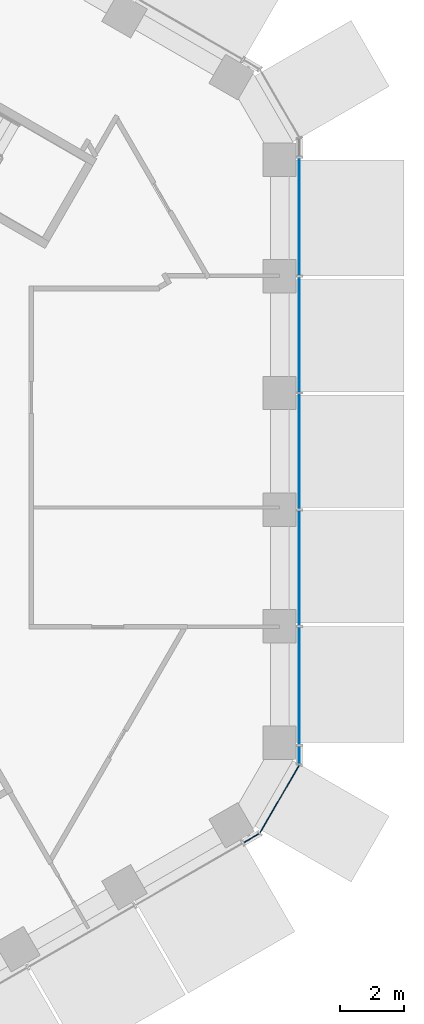
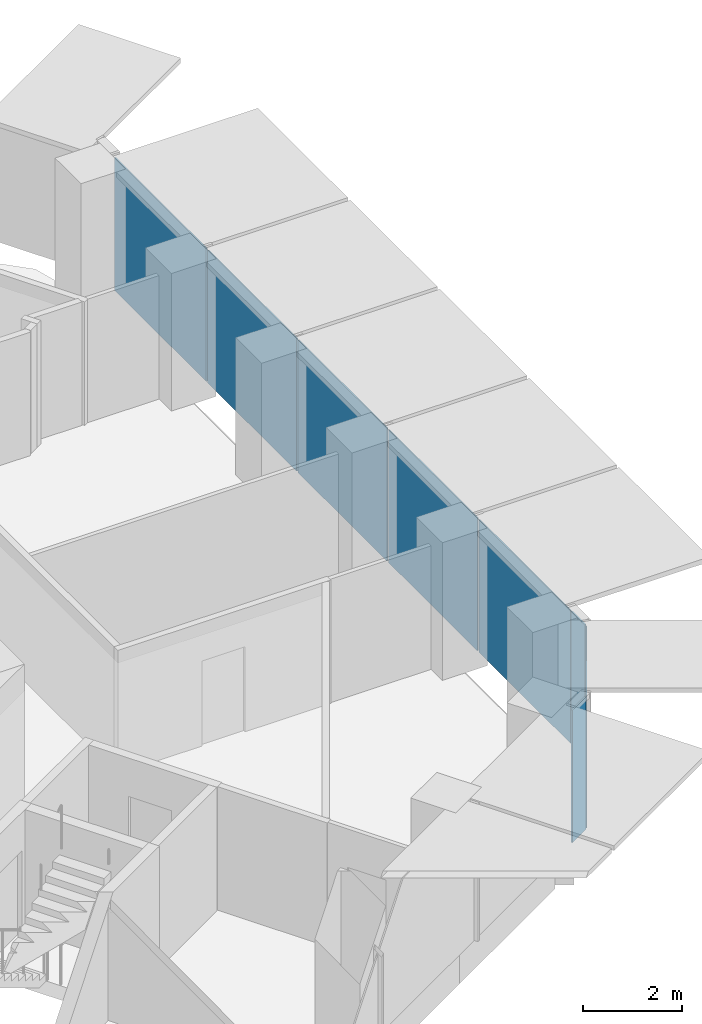
# One storey, part 11 of 19: 8 plates, 2 elements without a shape of their own.
"""IFC4 building model written with IfcOpenShell, lengths in metres."""

from ifc_helpers import new_model, si_unit, direction, frame, origin, origin_2d, place, context, subcontext, project, spatial, rectangle, extrude, material, layer, layer_set, type_object, element, aggregate, save


model = new_model("IFC4")

# Units and contexts
model_context = context("Model", 3, precision=1e-05, world=origin(), true_north=direction((0.0, 1.0)))
body_context = subcontext(model_context, "Body", "Model", "MODEL_VIEW")
ifc_project = project(units=[si_unit("LENGTHUNIT", "METRE"), si_unit("AREAUNIT", "SQUARE_METRE"), si_unit("VOLUMEUNIT", "CUBIC_METRE"), si_unit("PLANEANGLEUNIT", "RADIAN"), si_unit("MASSUNIT", "GRAM", prefix="KILO")], contexts=[model_context])

# Site, building, storey
site_placement = place(None, origin())
site = spatial("IfcSite", under=ifc_project, at=site_placement, CompositionType="ELEMENT")
building_placement = place(site_placement, origin())
building = spatial("IfcBuilding", under=site, at=building_placement, Name="Ayvan Gate Tower", CompositionType="ELEMENT")
storey_placement = place(building_placement, frame((0.0, 0.0, 100.10009765625)))
storey = spatial("IfcBuildingStorey", under=building, at=storey_placement, Name="L26", CompositionType="ELEMENT", Elevation=100.10009765625)

# Curtain wall, plates
ifc_material_1 = material(Name="Bronze anodised aluminium", Category="aluminium")
ifc_layer_1 = layer(ifc_material_1, 0.199951171875)
ifc_layer_set_1 = layer_set([ifc_layer_1], Name="Bronze anodised aluminium")
curtain_wall_type_1 = type_object("IfcCurtainWallType", Name="Stick curtain wall CW-1", PredefinedType="NOTDEFINED", material=ifc_layer_set_1)
curtain_wall_1_placement = place(storey_placement, origin())
curtain_wall_1 = element("IfcCurtainWall", 1, at=curtain_wall_1_placement, inside=storey, type_object=curtain_wall_type_1, Name="Stick curtain wall CW-1 L26", PredefinedType="NOTDEFINED")
ifc_material_2 = material(Name="Clear low-iron laminated glass", Category="glass")
ifc_layer_2 = layer(ifc_material_2, 0.028076171875)
ifc_layer_set_2 = layer_set([ifc_layer_2], Name="Clear low-iron laminated glass")
plate_type_1 = type_object("IfcPlateType", Name="Stick curtain wall CW-1 glass panel", PredefinedType="CURTAIN_PANEL", material=ifc_layer_set_2)
plate_1_placement = place(storey_placement, frame((20.110595703125, -7.37109375, 0.0), z_axis=(0.0, 0.0, 1.0), x_axis=(0.0, 1.0, 0.0)))
plate_1 = element("IfcPlate", 2, at=plate_1_placement, type_object=plate_type_1, Name="CW-1 glass panel 1", PredefinedType="CURTAIN_PANEL", context=body_context, shape_type="SweptSolid", body=[
    extrude(rectangle(XDim=3.712890625, YDim=0.028076171875, at=origin_2d()), origin(), (0.0, 0.0, 1.0), 3.280029296875),
])
plate_2_placement = place(storey_placement, frame((20.110595703125, -3.656494140625, 0.0), z_axis=(0.0, 0.0, 1.0), x_axis=(0.0, 1.0, 0.0)))
plate_2 = element("IfcPlate", 3, at=plate_2_placement, type_object=plate_type_1, Name="CW-1 glass panel 2", PredefinedType="CURTAIN_PANEL", context=body_context, shape_type="SweptSolid", body=[
    extrude(rectangle(XDim=3.595947265625, YDim=0.028076171875, at=origin_2d()), origin(), (0.0, 0.0, 1.0), 3.280029296875),
])
plate_3_placement = place(storey_placement, frame((20.110595703125, 0.0, 0.0), z_axis=(0.0, 0.0, 1.0), x_axis=(0.0, 1.0, 0.0)))
plate_3 = element("IfcPlate", 4, at=plate_3_placement, type_object=plate_type_1, Name="CW-1 glass panel 3", PredefinedType="CURTAIN_PANEL", context=body_context, shape_type="SweptSolid", body=[
    extrude(rectangle(XDim=3.596923828125, YDim=0.028076171875, at=origin_2d()), origin(), (0.0, 0.0, 1.0), 3.280029296875),
])
plate_4_placement = place(storey_placement, frame((20.110595703125, 3.656494140625, 0.0), z_axis=(0.0, 0.0, 1.0), x_axis=(0.0, 1.0, 0.0)))
plate_4 = element("IfcPlate", 5, at=plate_4_placement, type_object=plate_type_1, Name="CW-1 glass panel 4", PredefinedType="CURTAIN_PANEL", context=body_context, shape_type="SweptSolid", body=[
    extrude(rectangle(XDim=3.595947265625, YDim=0.028076171875, at=origin_2d()), origin(), (0.0, 0.0, 1.0), 3.280029296875),
])
plate_5_placement = place(storey_placement, frame((20.110595703125, 7.37109375, 0.0), z_axis=(0.0, 0.0, 1.0), x_axis=(0.0, 1.0, 0.0)))
plate_5 = element("IfcPlate", 6, at=plate_5_placement, type_object=plate_type_1, Name="CW-1 glass panel 5", PredefinedType="CURTAIN_PANEL", context=body_context, shape_type="SweptSolid", body=[
    extrude(rectangle(XDim=3.713134765625, YDim=0.028076171875, at=origin_2d()), origin(), (0.0, 0.0, 1.0), 3.280029296875),
])
aggregate(curtain_wall_1, [plate_1, plate_2, plate_3, plate_4, plate_5])

ifc_layer_3 = layer(ifc_material_1, 0.199951171875)
ifc_layer_set_3 = layer_set([ifc_layer_3], Name="Bronze anodised aluminium")
curtain_wall_type_2 = type_object("IfcCurtainWallType", Name="Stick curtain wall CW-6", PredefinedType="NOTDEFINED", material=ifc_layer_set_3)
curtain_wall_2_placement = place(storey_placement, origin())
curtain_wall_2 = element("IfcCurtainWall", 7, at=curtain_wall_2_placement, inside=storey, type_object=curtain_wall_type_2, Name="Stick curtain wall CW-6 L26", PredefinedType="NOTDEFINED")
ifc_layer_4 = layer(ifc_material_2, 0.028076171875)
ifc_layer_set_4 = layer_set([ifc_layer_4], Name="Clear low-iron laminated glass")
plate_type_2 = type_object("IfcPlateType", Name="Stick curtain wall CW-6 glass panel", PredefinedType="CURTAIN_PANEL", material=ifc_layer_set_4)
plate_6_placement = place(storey_placement, frame((18.607421875, -12.135986328125, 0.0), z_axis=(0.0, 0.0, 1.0), x_axis=(0.866025403784, 0.5, 0.0)))
plate_6 = element("IfcPlate", 8, at=plate_6_placement, type_object=plate_type_2, Name="CW-6 glass panel 1", PredefinedType="CURTAIN_PANEL", context=body_context, shape_type="SweptSolid", body=[
    extrude(rectangle(XDim=0.550048828125, YDim=0.028076171875, at=origin_2d()), origin(), (0.0, 0.0, 1.0), 3.280029296875),
])
plate_7_placement = place(storey_placement, frame((19.489013671875, -10.9091796875, 0.0), z_axis=(0.0, 0.0, 1.0), x_axis=(0.5, 0.866025403784, 0.0)))
plate_7 = element("IfcPlate", 9, at=plate_7_placement, type_object=plate_type_2, Name="CW-6 glass panel 2", PredefinedType="CURTAIN_PANEL", context=body_context, shape_type="SweptSolid", body=[
    extrude(rectangle(XDim=2.4365234375, YDim=0.028076171875, at=origin_2d()), origin(), (0.0, 0.0, 1.0), 3.280029296875),
])
plate_8_placement = place(storey_placement, frame((20.110595703125, -9.532470703125, 0.0), z_axis=(0.0, 0.0, 1.0), x_axis=(0.0, 1.0, 0.0)))
plate_8 = element("IfcPlate", 10, at=plate_8_placement, type_object=plate_type_2, Name="CW-6 glass panel 3", PredefinedType="CURTAIN_PANEL", context=body_context, shape_type="SweptSolid", body=[
    extrude(rectangle(XDim=0.550048828125, YDim=0.028076171875, at=origin_2d()), origin(), (0.0, 0.0, 1.0), 3.280029296875),
])
aggregate(curtain_wall_2, [plate_6, plate_7, plate_8])

save(model, "model.ifc")
